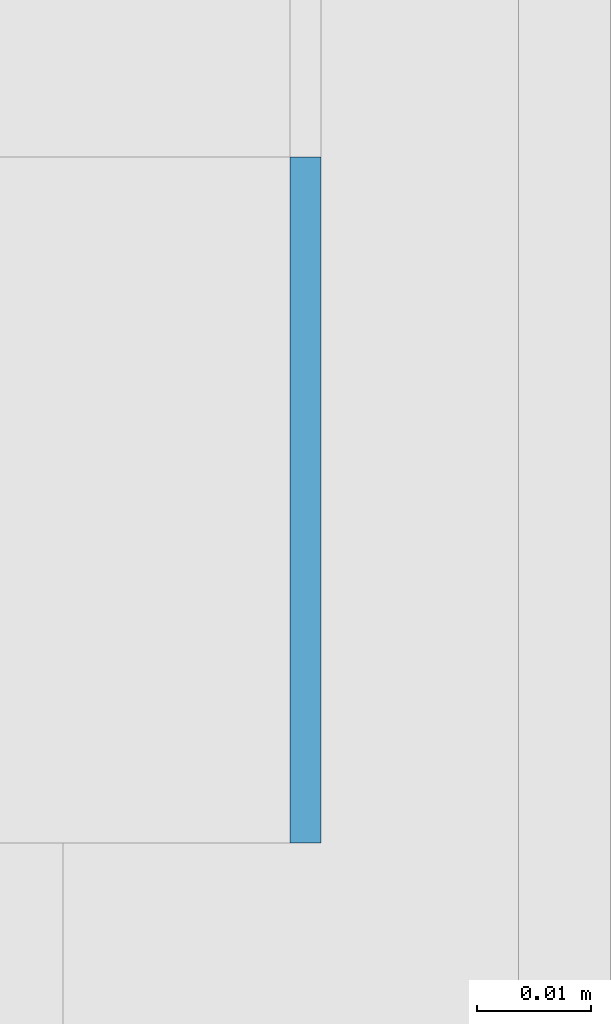
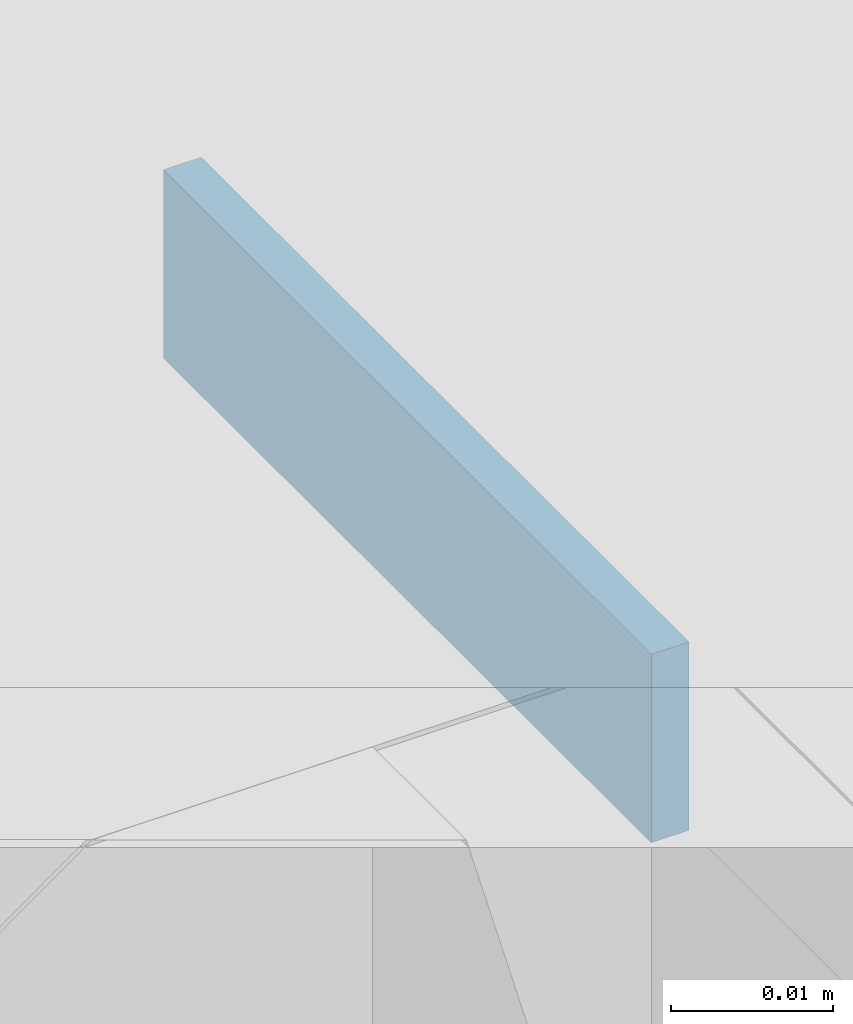
# One storey, part 299 of 646: 1 discrete accessory.
"""IFC4 building model written with IfcOpenShell, lengths in metres."""

from ifc_helpers import new_model, si_unit, direction, frame, origin, origin_2d, place, context, subcontext, project, spatial, rectangle, extrude, material, type_object, element, save


model = new_model("IFC4")

# Units and contexts
model_context = context("Model", 3, precision=1e-05, world=origin(), true_north=direction((0.0, 1.0)))
body_context = subcontext(model_context, "Body", "Model", "MODEL_VIEW")
ifc_project = project(units=[si_unit("LENGTHUNIT", "METRE"), si_unit("AREAUNIT", "SQUARE_METRE"), si_unit("VOLUMEUNIT", "CUBIC_METRE"), si_unit("PLANEANGLEUNIT", "RADIAN"), si_unit("MASSUNIT", "GRAM", prefix="KILO")], contexts=[model_context])

# Site, building, storey
site_placement = place(None, origin())
site = spatial("IfcSite", under=ifc_project, at=site_placement, CompositionType="ELEMENT")
building_placement = place(site_placement, origin())
building = spatial("IfcBuilding", under=site, at=building_placement, Name="Silverbay Arena", CompositionType="ELEMENT")
storey_placement = place(building_placement, frame((0.0, 0.0, 33.5)))
storey = spatial("IfcBuildingStorey", under=building, at=storey_placement, Name="L05", CompositionType="ELEMENT", Elevation=33.5)

# Discrete accessory
ifc_material = material(Name="Steel S355", Category="steel")
discrete_accessory_type = type_object("IfcDiscreteAccessoryType", Name="Steel bracket plate", PredefinedType="BRACKET", material=ifc_material)
discrete_accessory_placement = place(storey_placement, frame((53.871337890625, 62.969970703125, 12.98583984375), z_axis=(0.0, 0.0, 1.0), x_axis=(1.0, 0.0, 0.0)))
element("IfcDiscreteAccessory", 1, at=discrete_accessory_placement, inside=storey, type_object=discrete_accessory_type, Name="Curtain wall packing plate", PredefinedType="BRACKET", context=body_context, shape_type="SweptSolid", body=[
    extrude(rectangle(XDim=0.002685546875, YDim=0.06005859375, at=origin_2d()), origin(), (0.0, 0.0, 1.0), 0.01416015625),
])

save(model, "model.ifc")
